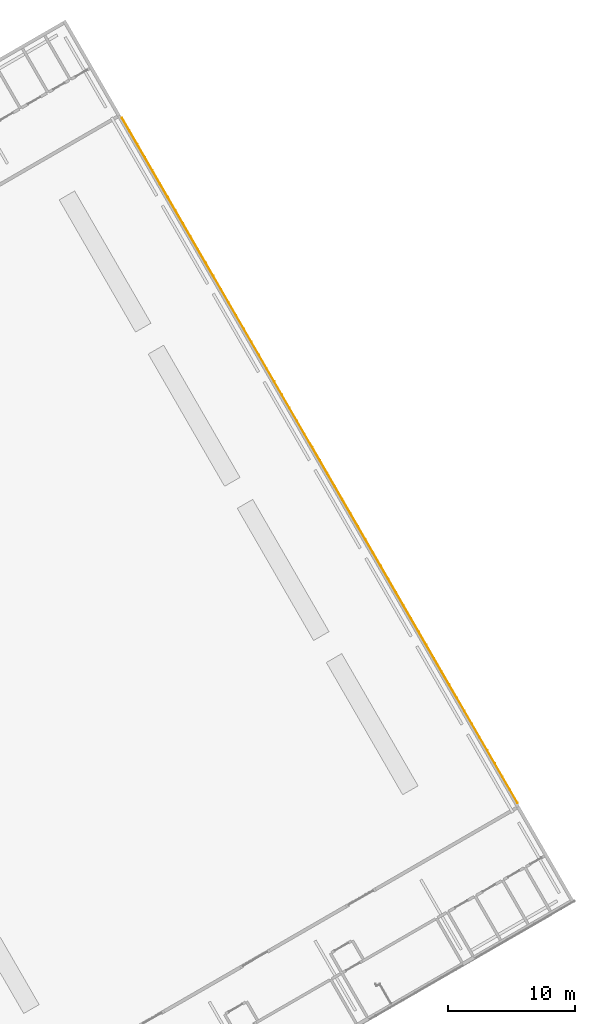
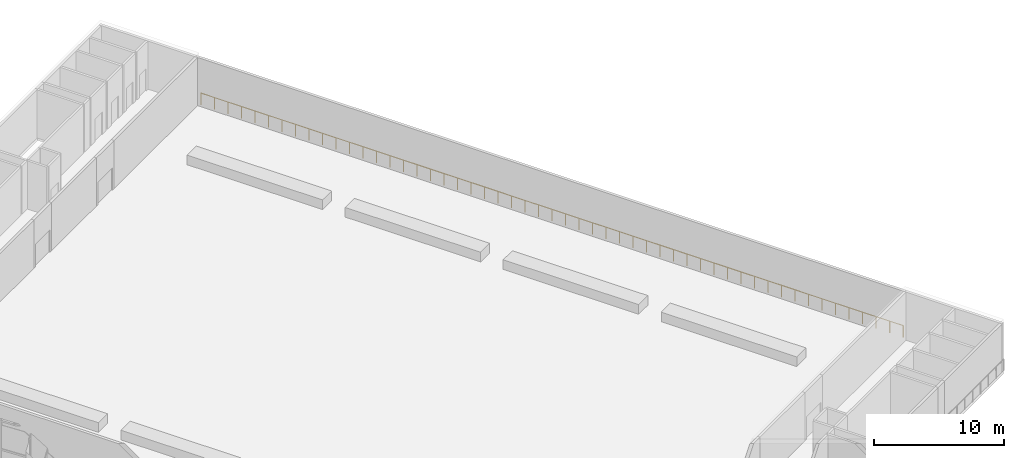
# One storey, part 41 of 41: 1 railing.
"""IFC4 building model written with IfcOpenShell, lengths in metres."""

from ifc_helpers import new_model, si_unit, direction, frame, origin, origin_2d, place, context, subcontext, project, spatial, circle, extrude, material, type_object, element, save


model = new_model("IFC4")

# Units and contexts
model_context = context("Model", 3, precision=1e-05, world=origin(), true_north=direction((0.0, 1.0)))
body_context = subcontext(model_context, "Body", "Model", "MODEL_VIEW")
ifc_project = project(units=[si_unit("LENGTHUNIT", "METRE"), si_unit("AREAUNIT", "SQUARE_METRE"), si_unit("VOLUMEUNIT", "CUBIC_METRE"), si_unit("PLANEANGLEUNIT", "RADIAN"), si_unit("MASSUNIT", "GRAM", prefix="KILO")], contexts=[model_context])

# Site, building, storey
site_placement = place(None, origin())
site = spatial("IfcSite", under=ifc_project, at=site_placement, CompositionType="ELEMENT")
building_placement = place(site_placement, origin())
building = spatial("IfcBuilding", under=site, at=building_placement, Name="Mestral Congress Tower", CompositionType="ELEMENT")
storey_placement = place(building_placement, frame((0.0, 0.0, 21.60009765625)))
storey = spatial("IfcBuildingStorey", under=building, at=storey_placement, Name="L04", CompositionType="ELEMENT", Elevation=21.60009765625)

# Railing
ifc_material = material(Name="Steel balustrade", Category="steel")
railing_type = type_object("IfcRailingType", Name="Podium deck guard 1100", PredefinedType="GUARDRAIL", material=ifc_material)
railing_placement = place(storey_placement, frame((48.473388671875, 63.8974609375, 0.0)))
element("IfcRailing", 1, at=railing_placement, inside=storey, type_object=railing_type, Name="Garden deck guard", PredefinedType="GUARDRAIL", context=body_context, shape_type="SweptSolid", body=[
    extrude(circle(Radius=0.02392578125, at=origin_2d()), frame((0.0, 0.0, 1.076171875), z_axis=(0.500000041085, -0.866025380064, 0.0), x_axis=(0.866025380064, 0.500000041085, 0.0)), (0.0, 0.0, 1.0), 62.2001953125),
    extrude(circle(Radius=0.02099609375, at=origin_2d()), origin(), (0.0, 0.0, 1.0), 1.052001953125),
    extrude(circle(Radius=0.02099609375, at=origin_2d()), frame((0.59814453125, -1.035888671875, 0.0)), (0.0, 0.0, 1.0), 1.052001953125),
    extrude(circle(Radius=0.02099609375, at=origin_2d()), frame((1.196044921875, -2.07177734375, 0.0)), (0.0, 0.0, 1.0), 1.052001953125),
    extrude(circle(Radius=0.02099609375, at=origin_2d()), frame((1.794189453125, -3.107666015625, 0.0)), (0.0, 0.0, 1.0), 1.052001953125),
    extrude(circle(Radius=0.02099609375, at=origin_2d()), frame((2.392333984375, -4.1435546875, 0.0)), (0.0, 0.0, 1.0), 1.052001953125),
    extrude(circle(Radius=0.02099609375, at=origin_2d()), frame((2.990478515625, -5.179443359375, 0.0)), (0.0, 0.0, 1.0), 1.052001953125),
    extrude(circle(Radius=0.02099609375, at=origin_2d()), frame((3.58837890625, -6.21533203125, 0.0)), (0.0, 0.0, 1.0), 1.052001953125),
    extrude(circle(Radius=0.02099609375, at=origin_2d()), frame((4.1865234375, -7.251220703125, 0.0)), (0.0, 0.0, 1.0), 1.052001953125),
    extrude(circle(Radius=0.02099609375, at=origin_2d()), frame((4.78466796875, -8.287109375, 0.0)), (0.0, 0.0, 1.0), 1.052001953125),
    extrude(circle(Radius=0.02099609375, at=origin_2d()), frame((5.3828125, -9.3232421875, 0.0)), (0.0, 0.0, 1.0), 1.052001953125),
    extrude(circle(Radius=0.02099609375, at=origin_2d()), frame((5.980712890625, -10.359130859375, 0.0)), (0.0, 0.0, 1.0), 1.052001953125),
    extrude(circle(Radius=0.02099609375, at=origin_2d()), frame((6.578857421875, -11.39501953125, 0.0)), (0.0, 0.0, 1.0), 1.052001953125),
    extrude(circle(Radius=0.02099609375, at=origin_2d()), frame((7.177001953125, -12.430908203125, 0.0)), (0.0, 0.0, 1.0), 1.052001953125),
    extrude(circle(Radius=0.02099609375, at=origin_2d()), frame((7.77490234375, -13.466796875, 0.0)), (0.0, 0.0, 1.0), 1.052001953125),
    extrude(circle(Radius=0.02099609375, at=origin_2d()), frame((8.373046875, -14.502685546875, 0.0)), (0.0, 0.0, 1.0), 1.052001953125),
    extrude(circle(Radius=0.02099609375, at=origin_2d()), frame((8.97119140625, -15.53857421875, 0.0)), (0.0, 0.0, 1.0), 1.052001953125),
    extrude(circle(Radius=0.02099609375, at=origin_2d()), frame((9.5693359375, -16.574462890625, 0.0)), (0.0, 0.0, 1.0), 1.052001953125),
    extrude(circle(Radius=0.02099609375, at=origin_2d()), frame((10.167236328125, -17.6103515625, 0.0)), (0.0, 0.0, 1.0), 1.052001953125),
    extrude(circle(Radius=0.02099609375, at=origin_2d()), frame((10.765380859375, -18.646240234375, 0.0)), (0.0, 0.0, 1.0), 1.052001953125),
    extrude(circle(Radius=0.02099609375, at=origin_2d()), frame((11.363525390625, -19.68212890625, 0.0)), (0.0, 0.0, 1.0), 1.052001953125),
    extrude(circle(Radius=0.02099609375, at=origin_2d()), frame((11.961669921875, -20.718017578125, 0.0)), (0.0, 0.0, 1.0), 1.052001953125),
    extrude(circle(Radius=0.02099609375, at=origin_2d()), frame((12.5595703125, -21.75390625, 0.0)), (0.0, 0.0, 1.0), 1.052001953125),
    extrude(circle(Radius=0.02099609375, at=origin_2d()), frame((13.15771484375, -22.789794921875, 0.0)), (0.0, 0.0, 1.0), 1.052001953125),
    extrude(circle(Radius=0.02099609375, at=origin_2d()), frame((13.755859375, -23.82568359375, 0.0)), (0.0, 0.0, 1.0), 1.052001953125),
    extrude(circle(Radius=0.02099609375, at=origin_2d()), frame((14.35400390625, -24.861572265625, 0.0)), (0.0, 0.0, 1.0), 1.052001953125),
    extrude(circle(Radius=0.02099609375, at=origin_2d()), frame((14.951904296875, -25.8974609375, 0.0)), (0.0, 0.0, 1.0), 1.052001953125),
    extrude(circle(Radius=0.02099609375, at=origin_2d()), frame((15.550048828125, -26.93359375, 0.0)), (0.0, 0.0, 1.0), 1.052001953125),
    extrude(circle(Radius=0.02099609375, at=origin_2d()), frame((16.148193359375, -27.969482421875, 0.0)), (0.0, 0.0, 1.0), 1.052001953125),
    extrude(circle(Radius=0.02099609375, at=origin_2d()), frame((16.74609375, -29.00537109375, 0.0)), (0.0, 0.0, 1.0), 1.052001953125),
    extrude(circle(Radius=0.02099609375, at=origin_2d()), frame((17.34423828125, -30.041259765625, 0.0)), (0.0, 0.0, 1.0), 1.052001953125),
    extrude(circle(Radius=0.02099609375, at=origin_2d()), frame((17.9423828125, -31.0771484375, 0.0)), (0.0, 0.0, 1.0), 1.052001953125),
    extrude(circle(Radius=0.02099609375, at=origin_2d()), frame((18.54052734375, -32.113037109375, 0.0)), (0.0, 0.0, 1.0), 1.052001953125),
    extrude(circle(Radius=0.02099609375, at=origin_2d()), frame((19.138427734375, -33.14892578125, 0.0)), (0.0, 0.0, 1.0), 1.052001953125),
    extrude(circle(Radius=0.02099609375, at=origin_2d()), frame((19.736572265625, -34.184814453125, 0.0)), (0.0, 0.0, 1.0), 1.052001953125),
    extrude(circle(Radius=0.02099609375, at=origin_2d()), frame((20.334716796875, -35.220703125, 0.0)), (0.0, 0.0, 1.0), 1.052001953125),
    extrude(circle(Radius=0.02099609375, at=origin_2d()), frame((20.932861328125, -36.256591796875, 0.0)), (0.0, 0.0, 1.0), 1.052001953125),
    extrude(circle(Radius=0.02099609375, at=origin_2d()), frame((21.53076171875, -37.29248046875, 0.0)), (0.0, 0.0, 1.0), 1.052001953125),
    extrude(circle(Radius=0.02099609375, at=origin_2d()), frame((22.12890625, -38.328369140625, 0.0)), (0.0, 0.0, 1.0), 1.052001953125),
    extrude(circle(Radius=0.02099609375, at=origin_2d()), frame((22.72705078125, -39.3642578125, 0.0)), (0.0, 0.0, 1.0), 1.052001953125),
    extrude(circle(Radius=0.02099609375, at=origin_2d()), frame((23.3251953125, -40.400146484375, 0.0)), (0.0, 0.0, 1.0), 1.052001953125),
    extrude(circle(Radius=0.02099609375, at=origin_2d()), frame((23.923095703125, -41.43603515625, 0.0)), (0.0, 0.0, 1.0), 1.052001953125),
    extrude(circle(Radius=0.02099609375, at=origin_2d()), frame((24.521240234375, -42.471923828125, 0.0)), (0.0, 0.0, 1.0), 1.052001953125),
    extrude(circle(Radius=0.02099609375, at=origin_2d()), frame((25.119384765625, -43.5078125, 0.0)), (0.0, 0.0, 1.0), 1.052001953125),
    extrude(circle(Radius=0.02099609375, at=origin_2d()), frame((25.71728515625, -44.543701171875, 0.0)), (0.0, 0.0, 1.0), 1.052001953125),
    extrude(circle(Radius=0.02099609375, at=origin_2d()), frame((26.3154296875, -45.579833984375, 0.0)), (0.0, 0.0, 1.0), 1.052001953125),
    extrude(circle(Radius=0.02099609375, at=origin_2d()), frame((26.91357421875, -46.61572265625, 0.0)), (0.0, 0.0, 1.0), 1.052001953125),
    extrude(circle(Radius=0.02099609375, at=origin_2d()), frame((27.51171875, -47.651611328125, 0.0)), (0.0, 0.0, 1.0), 1.052001953125),
    extrude(circle(Radius=0.02099609375, at=origin_2d()), frame((28.109619140625, -48.6875, 0.0)), (0.0, 0.0, 1.0), 1.052001953125),
    extrude(circle(Radius=0.02099609375, at=origin_2d()), frame((28.707763671875, -49.723388671875, 0.0)), (0.0, 0.0, 1.0), 1.052001953125),
    extrude(circle(Radius=0.02099609375, at=origin_2d()), frame((29.305908203125, -50.75927734375, 0.0)), (0.0, 0.0, 1.0), 1.052001953125),
    extrude(circle(Radius=0.02099609375, at=origin_2d()), frame((29.904052734375, -51.795166015625, 0.0)), (0.0, 0.0, 1.0), 1.052001953125),
    extrude(circle(Radius=0.02099609375, at=origin_2d()), frame((30.501953125, -52.8310546875, 0.0)), (0.0, 0.0, 1.0), 1.052001953125),
    extrude(circle(Radius=0.02099609375, at=origin_2d()), frame((31.10009765625, -53.866943359375, 0.0)), (0.0, 0.0, 1.0), 1.052001953125),
])

save(model, "model.ifc")
